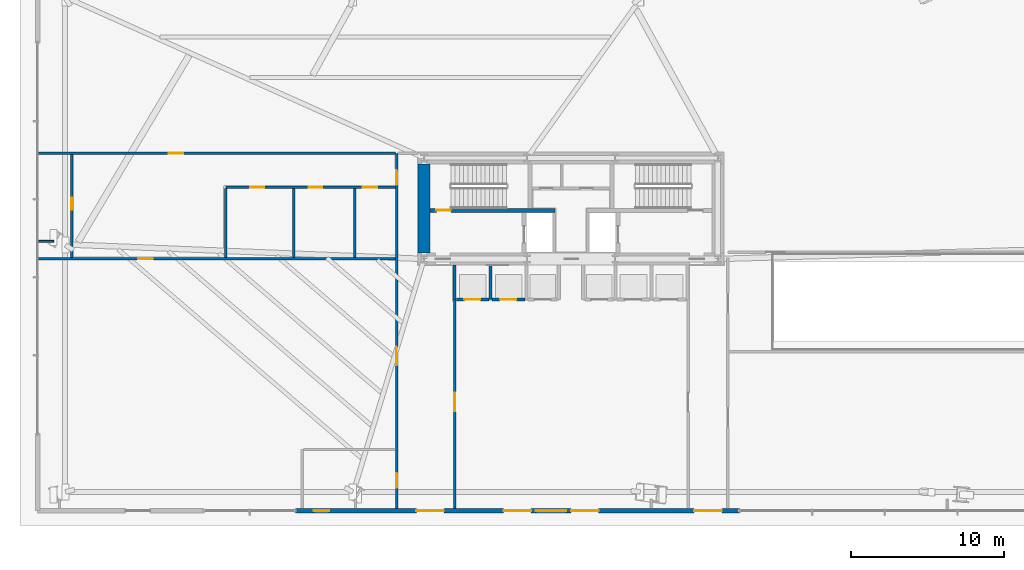
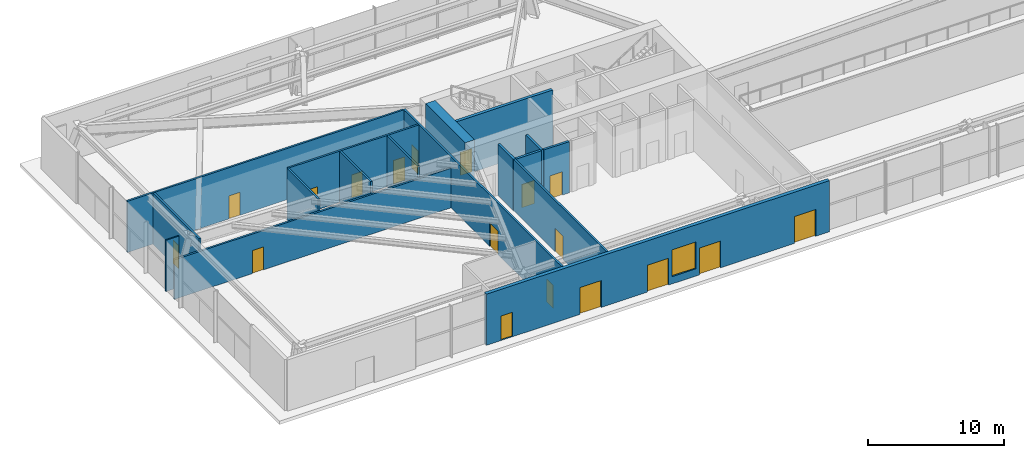
# One storey, part 24 of 31: 18 doors, 17 walls, 1 window, 19 openings.
"""IFC4 building model written with IfcOpenShell, lengths in metres."""

from ifc_helpers import new_model, si_unit, direction, frame, frame_2d, origin, place, context, subcontext, project, spatial, rectangle, extrude, source, transform, mapped, material, layer, layer_set, type_object, type_shapes, element, fill, save


model = new_model("IFC4")

# Units and contexts
model_context = context("Model", 3, precision=1e-05, world=origin(), true_north=direction((0.0, 1.0)))
body_context = subcontext(model_context, "Body", "Model", "MODEL_VIEW")
ifc_project = project(units=[si_unit("LENGTHUNIT", "METRE"), si_unit("AREAUNIT", "SQUARE_METRE"), si_unit("VOLUMEUNIT", "CUBIC_METRE"), si_unit("PLANEANGLEUNIT", "RADIAN"), si_unit("MASSUNIT", "GRAM", prefix="KILO")], contexts=[model_context])

# Site, building, storey
site_placement = place(None, origin())
site = spatial("IfcSite", under=ifc_project, at=site_placement, CompositionType="ELEMENT")
building_placement = place(site_placement, origin())
building = spatial("IfcBuilding", under=site, at=building_placement, Name="Astriad Promenade Condominiums", CompositionType="ELEMENT")
storey_placement = place(building_placement, origin())
storey = spatial("IfcBuildingStorey", under=building, at=storey_placement, Name="L00", CompositionType="ELEMENT", Elevation=0.0)

# Wall
ifc_material_1 = material(Name="Concrete C80/95", Category="concrete")
ifc_layer_1 = layer(ifc_material_1, 0.800048828125)
ifc_layer_set_1 = layer_set([ifc_layer_1], Name="Concrete C80/95")
wall_type_1 = type_object("IfcWallType", Name="CW-SHEAR-800", PredefinedType="SHEAR", material=ifc_layer_set_1)
wall_1_placement = place(storey_placement, frame((26.39990234375, 17.802001953125, 0.0), z_axis=(0.0, 0.0, 1.0), x_axis=(0.0, 1.0, 0.0)))
element("IfcWall", 1, at=wall_1_placement, inside=storey, type_object=wall_type_1, Name="CW-CORE-W-L00", PredefinedType="SHEAR", context=body_context, shape_type="SweptSolid", body=[
    extrude(rectangle(XDim=5.7958984375, YDim=0.800048828125, at=frame_2d((2.89794921875, 0.0))), origin(), (0.0, 0.0, 1.0), 5.0),
])

# Wall, opening, door
ifc_material_2 = material(Name="Concrete C50/60", Category="concrete")
ifc_layer_2 = layer(ifc_material_2, 0.25)
ifc_layer_set_2 = layer_set([ifc_layer_2], Name="Concrete C50/60")
wall_type_2 = type_object("IfcWallType", Name="WALL-CORE-INT-250", PredefinedType="SOLIDWALL", material=ifc_layer_set_2)
wall_2_placement = place(storey_placement, frame((26.802001953125, 20.574951171875, 0.0), z_axis=(0.0, 0.0, 1.0), x_axis=(1.0, 0.0, 0.0)))
wall_2 = element("IfcWall", 2, at=wall_2_placement, inside=storey, type_object=wall_type_2, Name="CW-INT-H1-L00", PredefinedType="SOLIDWALL", context=body_context, shape_type="SweptSolid", body=[
    extrude(rectangle(XDim=8.14794921875, YDim=0.25, at=frame_2d((4.073974609375, 0.0))), origin(), (0.0, 0.0, 1.0), 5.0),
])
opening_1_placement = place(wall_2_placement, frame((0.39794921875, 0.0, 0.0)))
opening_1 = element("IfcOpeningElement", 3, at=opening_1_placement, cuts=wall_2, Name="Opening FD90-ST-095", PredefinedType="OPENING", context=body_context, shape_type="SweptSolid", body=[
    extrude(rectangle(XDim=0.949951171875, YDim=2.06005859375, at=frame_2d((0.47509765625, 1.030029296875))), frame((0.0, 0.135009765625, 0.0), z_axis=(0.0, -1.0, 0.0), x_axis=(1.0, 0.0, 0.0)), (0.0, 0.0, 1.0), 0.27001953125),
])
ifc_material_3 = material(Name="Fire-Rated Hollow Metal Stair Door")
door_type_1 = type_object("IfcDoorType", Name="FD90-ST-095", OperationType="NOTDEFINED", PredefinedType="DOOR", material=ifc_material_3)
shared_shape_1 = source(origin(), body_context, "Body", "SweptSolid", [
    extrude(rectangle(XDim=0.949951171875, YDim=2.06005859375, at=frame_2d((0.47509765625, 1.030029296875))), frame((0.0, 0.02490234375, 0.0), z_axis=(0.0, -1.0, 0.0), x_axis=(1.0, 0.0, 0.0)), (0.0, 0.0, 1.0), 0.050048828125),
])
type_shapes(door_type_1, [shared_shape_1])
door_1_placement = place(opening_1_placement, origin())
door_1 = element("IfcDoor", 4, at=door_1_placement, inside=storey, type_object=door_type_1, Name="D-ST1-L00", OperationType="SINGLE_SWING_LEFT", OverallHeight=2.06005859375, OverallWidth=0.949951171875, PredefinedType="DOOR", context=body_context, shape_type="MappedRepresentation", body=[
    mapped(shared_shape_1, transform((0.0, 0.0, 0.0), scale=1.0)),
])
fill(opening_1, door_1)

# Wall, openings, doors
ifc_material_4 = material(Name="Fire-Rated Gypsum Partition")
ifc_layer_3 = layer(ifc_material_4, 0.159912109375)
ifc_layer_set_3 = layer_set([ifc_layer_3], Name="Fire-Rated Gypsum Partition")
wall_type_3 = type_object("IfcWallType", Name="WALL-CORR-160", PredefinedType="PARTITIONING", material=ifc_layer_set_3)
wall_3_placement = place(storey_placement, frame((24.60009765625, 1.10205078125, 0.0), z_axis=(0.0, 0.0, 1.0), x_axis=(0.0, 1.0, 0.0)))
wall_3 = element("IfcWall", 5, at=wall_3_placement, inside=storey, type_object=wall_type_3, Name="PT-L00-EXPW-W", PredefinedType="PARTITIONING", context=body_context, shape_type="SweptSolid", body=[
    extrude(rectangle(XDim=23.197998046875, YDim=0.159912109375, at=frame_2d((11.59912109375, 0.0))), origin(), (0.0, 0.0, 1.0), 4.580078125),
])
opening_2_placement = place(wall_3_placement, frame((1.347900390625, 0.0, 0.0)))
opening_2 = element("IfcOpeningElement", 6, at=opening_2_placement, cuts=wall_3, Name="Opening FD90-ST-095", PredefinedType="OPENING", context=body_context, shape_type="SweptSolid", body=[
    extrude(rectangle(XDim=0.949951171875, YDim=2.06005859375, at=frame_2d((0.47509765625, 1.030029296875))), frame((0.0, 0.08984375, 0.0), z_axis=(0.0, -1.0, 0.0), x_axis=(1.0, 0.0, 0.0)), (0.0, 0.0, 1.0), 0.179931640625),
])
opening_3_placement = place(wall_3_placement, frame((9.347900390625, 0.0, 0.0)))
opening_3 = element("IfcOpeningElement", 7, at=opening_3_placement, cuts=wall_3, Name="Opening FD60-RET-1222", PredefinedType="OPENING", context=body_context, shape_type="SweptSolid", body=[
    extrude(rectangle(XDim=1.199951171875, YDim=2.080078125, at=frame_2d((0.60009765625, 1.0400390625))), frame((0.0, 0.08984375, 0.0), z_axis=(0.0, -1.0, 0.0), x_axis=(1.0, 0.0, 0.0)), (0.0, 0.0, 1.0), 0.179931640625),
])
opening_4_placement = place(wall_3_placement, frame((21.137939453125, 0.0, 0.0)))
opening_4 = element("IfcOpeningElement", 8, at=opening_4_placement, cuts=wall_3, Name="Opening FD60-APT-095", PredefinedType="OPENING", context=body_context, shape_type="SweptSolid", body=[
    extrude(rectangle(XDim=0.949951171875, YDim=2.06005859375, at=frame_2d((0.47509765625, 1.030029296875))), frame((0.0, 0.08984375, 0.0), z_axis=(0.0, -1.0, 0.0), x_axis=(1.0, 0.0, 0.0)), (0.0, 0.0, 1.0), 0.179931640625),
])
door_2_placement = place(opening_2_placement, origin())
door_2 = element("IfcDoor", 9, at=door_2_placement, inside=storey, type_object=door_type_1, Name="D-L00-FCC", OperationType="SINGLE_SWING_LEFT", OverallHeight=2.06005859375, OverallWidth=0.949951171875, PredefinedType="DOOR", context=body_context, shape_type="MappedRepresentation", body=[
    mapped(shared_shape_1, transform((0.0, 0.0, 0.0), scale=1.0)),
])
fill(opening_2, door_2)
ifc_material_5 = material(Name="Glazed Aluminium Retail Entry Door", Category="aluminium")
door_type_2 = type_object("IfcDoorType", Name="FD60-RET-1222", OperationType="NOTDEFINED", PredefinedType="DOOR", material=ifc_material_5)
shared_shape_2 = source(origin(), body_context, "Body", "SweptSolid", [
    extrude(rectangle(XDim=1.199951171875, YDim=2.080078125, at=frame_2d((0.60009765625, 1.0400390625))), frame((0.0, 0.02490234375, 0.0), z_axis=(0.0, -1.0, 0.0), x_axis=(1.0, 0.0, 0.0)), (0.0, 0.0, 1.0), 0.050048828125),
])
type_shapes(door_type_2, [shared_shape_2])
door_3_placement = place(opening_3_placement, origin())
door_3 = element("IfcDoor", 10, at=door_3_placement, inside=storey, type_object=door_type_2, Name="D-L00-RETW", OperationType="SINGLE_SWING_RIGHT", OverallHeight=2.080078125, OverallWidth=1.199951171875, PredefinedType="DOOR", context=body_context, shape_type="MappedRepresentation", body=[
    mapped(shared_shape_2, transform((0.0, 0.0, 0.0), scale=1.0)),
])
fill(opening_3, door_3)
ifc_material_6 = material(Name="Solid-Core Acoustic Timber Residence Entry Door", Category="wood")
door_type_3 = type_object("IfcDoorType", Name="FD60-APT-095", OperationType="NOTDEFINED", PredefinedType="DOOR", material=ifc_material_6)
shared_shape_3 = source(origin(), body_context, "Body", "SweptSolid", [
    extrude(rectangle(XDim=0.949951171875, YDim=2.06005859375, at=frame_2d((0.47509765625, 1.030029296875))), frame((0.0, 0.02490234375, 0.0), z_axis=(0.0, -1.0, 0.0), x_axis=(1.0, 0.0, 0.0)), (0.0, 0.0, 1.0), 0.050048828125),
])
type_shapes(door_type_3, [shared_shape_3])
door_4_placement = place(opening_4_placement, origin())
door_4 = element("IfcDoor", 11, at=door_4_placement, inside=storey, type_object=door_type_3, Name="D-L00-CRW", OperationType="SINGLE_SWING_RIGHT", OverallHeight=2.06005859375, OverallWidth=0.949951171875, PredefinedType="DOOR", context=body_context, shape_type="MappedRepresentation", body=[
    mapped(shared_shape_3, transform((0.0, 0.0, 0.0), scale=1.0)),
])
fill(opening_4, door_4)

# Wall, opening, door
wall_4_placement = place(storey_placement, frame((28.39990234375, 1.10205078125, 0.0), z_axis=(0.0, 0.0, 1.0), x_axis=(0.0, 1.0, 0.0)))
wall_4 = element("IfcWall", 12, at=wall_4_placement, inside=storey, type_object=wall_type_3, Name="PT-L00-EXPW-E", PredefinedType="PARTITIONING", context=body_context, shape_type="SweptSolid", body=[
    extrude(rectangle(XDim=13.64794921875, YDim=0.159912109375, at=frame_2d((6.823974609375, 0.0))), origin(), (0.0, 0.0, 1.0), 4.580078125),
])
opening_5_placement = place(wall_4_placement, frame((6.347900390625, 0.0, 0.0)))
opening_5 = element("IfcOpeningElement", 13, at=opening_5_placement, cuts=wall_4, Name="Opening FD90-PLT-1222", PredefinedType="OPENING", context=body_context, shape_type="SweptSolid", body=[
    extrude(rectangle(XDim=1.199951171875, YDim=2.080078125, at=frame_2d((0.60009765625, 1.0400390625))), frame((0.0, 0.08984375, 0.0), z_axis=(0.0, -1.0, 0.0), x_axis=(1.0, 0.0, 0.0)), (0.0, 0.0, 1.0), 0.179931640625),
])
ifc_material_7 = material(Name="Fire-Rated Double-Insulated Plant Door")
door_type_4 = type_object("IfcDoorType", Name="FD90-PLT-1222", OperationType="NOTDEFINED", PredefinedType="DOOR", material=ifc_material_7)
shared_shape_4 = source(origin(), body_context, "Body", "SweptSolid", [
    extrude(rectangle(XDim=1.199951171875, YDim=2.080078125, at=frame_2d((0.60009765625, 1.0400390625))), frame((0.0, 0.02490234375, 0.0), z_axis=(0.0, -1.0, 0.0), x_axis=(1.0, 0.0, 0.0)), (0.0, 0.0, 1.0), 0.050048828125),
])
type_shapes(door_type_4, [shared_shape_4])
door_5_placement = place(opening_5_placement, origin())
door_5 = element("IfcDoor", 14, at=door_5_placement, inside=storey, type_object=door_type_4, Name="D-L00-LOBW", OperationType="SINGLE_SWING_LEFT", OverallHeight=2.080078125, OverallWidth=1.199951171875, PredefinedType="DOOR", context=body_context, shape_type="MappedRepresentation", body=[
    mapped(shared_shape_4, transform((0.0, 0.0, 0.0), scale=1.0)),
])
fill(opening_5, door_5)

wall_5_placement = place(storey_placement, frame((1.14990234375, 17.39990234375, 0.0), z_axis=(0.0, 0.0, 1.0), x_axis=(1.0, 0.0, 0.0)))
wall_5 = element("IfcWall", 15, at=wall_5_placement, inside=storey, type_object=wall_type_3, Name="PT-L00-WCS", PredefinedType="PARTITIONING", context=body_context, shape_type="SweptSolid", body=[
    extrude(rectangle(XDim=23.3681640625, YDim=0.159912109375, at=frame_2d((11.68408203125, 0.0))), origin(), (0.0, 0.0, 1.0), 3.536376953125),
])
opening_6_placement = place(wall_5_placement, frame((6.574951171875, 0.0, 0.0)))
opening_6 = element("IfcOpeningElement", 16, at=opening_6_placement, cuts=wall_5, Name="Opening FD60-APT-095", PredefinedType="OPENING", context=body_context, shape_type="SweptSolid", body=[
    extrude(rectangle(XDim=0.949951171875, YDim=2.06005859375, at=frame_2d((0.47509765625, 1.030029296875))), frame((0.0, 0.08984375, 0.0), z_axis=(0.0, -1.0, 0.0), x_axis=(1.0, 0.0, 0.0)), (0.0, 0.0, 1.0), 0.179931640625),
])
door_6_placement = place(opening_6_placement, origin())
door_6 = element("IfcDoor", 17, at=door_6_placement, inside=storey, type_object=door_type_3, Name="D-L00-CORN", OperationType="SINGLE_SWING_LEFT", OverallHeight=2.06005859375, OverallWidth=0.949951171875, PredefinedType="DOOR", context=body_context, shape_type="MappedRepresentation", body=[
    mapped(shared_shape_3, transform((0.0, 0.0, 0.0), scale=1.0)),
])
fill(opening_6, door_6)

# Wall, openings, doors
wall_6_placement = place(storey_placement, frame((13.449951171875, 22.080078125, 0.0), z_axis=(0.0, 0.0, 1.0), x_axis=(1.0, 0.0, 0.0)))
wall_6 = element("IfcWall", 18, at=wall_6_placement, inside=storey, type_object=wall_type_3, Name="PT-L00-WCN", PredefinedType="PARTITIONING", context=body_context, shape_type="SweptSolid", body=[
    extrude(rectangle(XDim=11.068115234375, YDim=0.159912109375, at=frame_2d((5.5341796875, 0.0))), origin(), (0.0, 0.0, 1.0), 4.580078125),
])
opening_7_placement = place(wall_6_placement, frame((1.60009765625, 0.0, 0.0)))
opening_7 = element("IfcOpeningElement", 19, at=opening_7_placement, cuts=wall_6, Name="Opening D-INT-090", PredefinedType="OPENING", context=body_context, shape_type="SweptSolid", body=[
    extrude(rectangle(XDim=0.89990234375, YDim=2.050048828125, at=frame_2d((0.449951171875, 1.02490234375))), frame((0.0, 0.08984375, 0.0), z_axis=(0.0, -1.0, 0.0), x_axis=(1.0, 0.0, 0.0)), (0.0, 0.0, 1.0), 0.179931640625),
])
opening_8_placement = place(wall_6_placement, frame((5.39990234375, 0.0, 0.0)))
opening_8 = element("IfcOpeningElement", 20, at=opening_8_placement, cuts=wall_6, Name="Opening D-INT-090", PredefinedType="OPENING", context=body_context, shape_type="SweptSolid", body=[
    extrude(rectangle(XDim=0.89990234375, YDim=2.050048828125, at=frame_2d((0.449951171875, 1.02490234375))), frame((0.0, 0.08984375, 0.0), z_axis=(0.0, -1.0, 0.0), x_axis=(1.0, 0.0, 0.0)), (0.0, 0.0, 1.0), 0.179931640625),
])
opening_9_placement = place(wall_6_placement, frame((8.949951171875, 0.0, 0.0)))
opening_9 = element("IfcOpeningElement", 21, at=opening_9_placement, cuts=wall_6, Name="Opening D-WET-095", PredefinedType="OPENING", context=body_context, shape_type="SweptSolid", body=[
    extrude(rectangle(XDim=0.949951171875, YDim=2.10009765625, at=frame_2d((0.47509765625, 1.050048828125))), frame((0.0, 0.08984375, 0.0), z_axis=(0.0, -1.0, 0.0), x_axis=(1.0, 0.0, 0.0)), (0.0, 0.0, 1.0), 0.179931640625),
])
ifc_material_8 = material(Name="Accessible Restroom Timber Door", Category="wood")
door_type_5 = type_object("IfcDoorType", Name="D-WET-095", OperationType="NOTDEFINED", PredefinedType="DOOR", material=ifc_material_8)
shared_shape_5 = source(origin(), body_context, "Body", "SweptSolid", [
    extrude(rectangle(XDim=0.949951171875, YDim=2.10009765625, at=frame_2d((0.47509765625, 1.050048828125))), frame((0.0, 0.02490234375, 0.0), z_axis=(0.0, -1.0, 0.0), x_axis=(1.0, 0.0, 0.0)), (0.0, 0.0, 1.0), 0.050048828125),
])
type_shapes(door_type_5, [shared_shape_5])
door_7_placement = place(opening_9_placement, origin())
door_7 = element("IfcDoor", 22, at=door_7_placement, inside=storey, type_object=door_type_5, Name="D-L00-WCA", OperationType="SINGLE_SWING_RIGHT", OverallHeight=2.10009765625, OverallWidth=0.949951171875, PredefinedType="DOOR", context=body_context, shape_type="MappedRepresentation", body=[
    mapped(shared_shape_5, transform((0.0, 0.0, 0.0), scale=1.0)),
])
fill(opening_9, door_7)
ifc_material_9 = material(Name="Painted Solid-Core Timber Bedroom Door", Category="wood")
door_type_6 = type_object("IfcDoorType", Name="D-INT-090", OperationType="NOTDEFINED", PredefinedType="DOOR", material=ifc_material_9)
shared_shape_6 = source(origin(), body_context, "Body", "SweptSolid", [
    extrude(rectangle(XDim=0.89990234375, YDim=2.050048828125, at=frame_2d((0.449951171875, 1.02490234375))), frame((0.0, 0.02490234375, 0.0), z_axis=(0.0, -1.0, 0.0), x_axis=(1.0, 0.0, 0.0)), (0.0, 0.0, 1.0), 0.050048828125),
])
type_shapes(door_type_6, [shared_shape_6])
door_8_placement = place(opening_7_placement, origin())
door_8 = element("IfcDoor", 23, at=door_8_placement, inside=storey, type_object=door_type_6, Name="D-L00-WCM", OperationType="SINGLE_SWING_RIGHT", OverallHeight=2.050048828125, OverallWidth=0.89990234375, PredefinedType="DOOR", context=body_context, shape_type="MappedRepresentation", body=[
    mapped(shared_shape_6, transform((0.0, 0.0, 0.0), scale=1.0)),
])
fill(opening_7, door_8)
door_9_placement = place(opening_8_placement, origin())
door_9 = element("IfcDoor", 24, at=door_9_placement, inside=storey, type_object=door_type_6, Name="D-L00-WCF", OperationType="SINGLE_SWING_LEFT", OverallHeight=2.050048828125, OverallWidth=0.89990234375, PredefinedType="DOOR", context=body_context, shape_type="MappedRepresentation", body=[
    mapped(shared_shape_6, transform((0.0, 0.0, 0.0), scale=1.0)),
])
fill(opening_8, door_9)

# Wall, opening, door
wall_7_placement = place(storey_placement, frame((1.14990234375, 24.300048828125, 0.0), z_axis=(0.0, 0.0, 1.0), x_axis=(1.0, 0.0, 0.0)))
wall_7 = element("IfcWall", 25, at=wall_7_placement, inside=storey, type_object=wall_type_3, Name="PT-L00-CN", PredefinedType="PARTITIONING", context=body_context, shape_type="SweptSolid", body=[
    extrude(rectangle(XDim=23.3681640625, YDim=0.159912109375, at=frame_2d((11.68408203125, 0.0))), origin(), (0.0, 0.0, 1.0), 4.580078125),
])
opening_10_placement = place(wall_7_placement, frame((8.574951171875, 0.0, 0.0)))
opening_10 = element("IfcOpeningElement", 26, at=opening_10_placement, cuts=wall_7, Name="Opening FD60-APT-095", PredefinedType="OPENING", context=body_context, shape_type="SweptSolid", body=[
    extrude(rectangle(XDim=0.949951171875, YDim=2.06005859375, at=frame_2d((0.47509765625, 1.030029296875))), frame((0.0, 0.08984375, 0.0), z_axis=(0.0, -1.0, 0.0), x_axis=(1.0, 0.0, 0.0)), (0.0, 0.0, 1.0), 0.179931640625),
])
door_10_placement = place(opening_10_placement, origin())
door_10 = element("IfcDoor", 27, at=door_10_placement, inside=storey, type_object=door_type_3, Name="D-L00-MAIL", OperationType="SINGLE_SWING_LEFT", OverallHeight=2.06005859375, OverallWidth=0.949951171875, PredefinedType="DOOR", context=body_context, shape_type="MappedRepresentation", body=[
    mapped(shared_shape_3, transform((0.0, 0.0, 0.0), scale=1.0)),
])
fill(opening_10, door_10)

wall_8_placement = place(storey_placement, frame((3.3798828125, 17.48193359375, 0.0), z_axis=(0.0, 0.0, 1.0), x_axis=(0.0, 1.0, 0.0)))
wall_8 = element("IfcWall", 28, at=wall_8_placement, inside=storey, type_object=wall_type_3, Name="PT-L00-CORW", PredefinedType="PARTITIONING", context=body_context, shape_type="SweptSolid", body=[
    extrude(rectangle(XDim=6.736083984375, YDim=0.159912109375, at=frame_2d((3.3681640625, 0.0))), origin(), (0.0, 0.0, 1.0), 4.580078125),
])
opening_11_placement = place(wall_8_placement, frame((3.117919921875, 0.0, 0.0)))
opening_11 = element("IfcOpeningElement", 29, at=opening_11_placement, cuts=wall_8, Name="Opening FD60-SV-080", PredefinedType="OPENING", context=body_context, shape_type="SweptSolid", body=[
    extrude(rectangle(XDim=0.800048828125, YDim=2.050048828125, at=frame_2d((0.39990234375, 1.02490234375))), frame((0.0, 0.08984375, 0.0), z_axis=(0.0, -1.0, 0.0), x_axis=(1.0, 0.0, 0.0)), (0.0, 0.0, 1.0), 0.179931640625),
])
ifc_material_10 = material(Name="Fire-Rated Riser Closet Door")
door_type_7 = type_object("IfcDoorType", Name="FD60-SV-080", OperationType="NOTDEFINED", PredefinedType="DOOR", material=ifc_material_10)
shared_shape_7 = source(origin(), body_context, "Body", "SweptSolid", [
    extrude(rectangle(XDim=0.800048828125, YDim=2.050048828125, at=frame_2d((0.39990234375, 1.02490234375))), frame((0.0, 0.02490234375, 0.0), z_axis=(0.0, -1.0, 0.0), x_axis=(1.0, 0.0, 0.0)), (0.0, 0.0, 1.0), 0.050048828125),
])
type_shapes(door_type_7, [shared_shape_7])
door_11_placement = place(opening_11_placement, origin())
door_11 = element("IfcDoor", 30, at=door_11_placement, inside=storey, type_object=door_type_7, Name="D-L00-WSTR", OperationType="SINGLE_SWING_RIGHT", OverallHeight=2.050048828125, OverallWidth=0.800048828125, PredefinedType="DOOR", context=body_context, shape_type="MappedRepresentation", body=[
    mapped(shared_shape_7, transform((0.0, 0.0, 0.0), scale=1.0)),
])
fill(opening_11, door_11)

# Walls
for number, where, z_axis, x_axis, name in (
    (31, (13.449951171875, 17.48193359375, 0.0), (0.0, 0.0, 1.0), (0.0, 1.0, 0.0), "PT-L00-WCV1"),
    (32, (17.8798828125, 17.48193359375, 0.0), (0.0, 0.0, 1.0), (0.0, 1.0, 0.0), "PT-L00-WCV2"),
    (33, (21.8798828125, 17.48193359375, 0.0), (0.0, 0.0, 1.0), (0.0, 1.0, 0.0), "PT-L00-WCV3"),
):
    element("IfcWall", number, at=place(storey_placement, frame(where, z_axis=z_axis, x_axis=x_axis)), inside=storey, type_object=wall_type_3, Name=name, PredefinedType="PARTITIONING", context=body_context, shape_type="SweptSolid", body=[
        extrude(rectangle(XDim=4.51611328125, YDim=0.159912109375, at=frame_2d((2.258056640625, 0.0))), origin(), (0.0, 0.0, 1.0), 4.580078125),
    ])

# Wall, openings, window, doors
ifc_material_11 = material(Name="Precast concrete C50/60", Category="concrete")
ifc_layer_4 = layer(ifc_material_11, 0.300048828125)
ifc_layer_set_4 = layer_set([ifc_layer_4], Name="Precast concrete C50/60")
wall_type_4 = type_object("IfcWallType", Name="WALL-EXT-POD-300", PredefinedType="STANDARD", material=ifc_layer_set_4)
wall_9_placement = place(storey_placement, frame((47.0, 0.949951171875, 0.0), z_axis=(0.0, 0.0, 1.0), x_axis=(-1.0, 0.0, 0.0)))
wall_9 = element("IfcWall", 34, at=wall_9_placement, inside=storey, type_object=wall_type_4, Name="W-EXT-L00-S3", PredefinedType="STANDARD", context=body_context, shape_type="SweptSolid", body=[
    extrude(rectangle(XDim=29.0, YDim=0.300048828125, at=frame_2d((14.5, 0.0))), origin(), (0.0, 0.0, 1.0), 4.580078125),
])
opening_12_placement = place(wall_9_placement, frame((1.14990234375, 0.0, 0.0)))
opening_12 = element("IfcOpeningElement", 35, at=opening_12_placement, cuts=wall_9, Name="Opening ED-1824-EXIT", PredefinedType="OPENING", context=body_context, shape_type="SweptSolid", body=[
    extrude(rectangle(XDim=1.800048828125, YDim=2.39990234375, at=frame_2d((0.89990234375, 1.199951171875))), frame((0.0, 0.159912109375, 0.0), z_axis=(0.0, -1.0, 0.0), x_axis=(1.0, 0.0, 0.0)), (0.0, 0.0, 1.0), 0.320068359375),
])
opening_13_placement = place(wall_9_placement, frame((9.199951171875, 0.0, 0.0)))
opening_13 = element("IfcOpeningElement", 36, at=opening_13_placement, cuts=wall_9, Name="Opening ED-1824-EXIT", PredefinedType="OPENING", context=body_context, shape_type="SweptSolid", body=[
    extrude(rectangle(XDim=1.800048828125, YDim=2.39990234375, at=frame_2d((0.89990234375, 1.199951171875))), frame((0.0, 0.159912109375, 0.0), z_axis=(0.0, -1.0, 0.0), x_axis=(1.0, 0.0, 0.0)), (0.0, 0.0, 1.0), 0.320068359375),
])
opening_14_placement = place(wall_9_placement, frame((11.300048828125, 0.0, 0.64990234375)))
opening_14 = element("IfcOpeningElement", 37, at=opening_14_placement, cuts=wall_9, Name="Opening WIN-POD-2024", PredefinedType="OPENING", context=body_context, shape_type="SweptSolid", body=[
    extrude(rectangle(XDim=2.0, YDim=2.39990234375, at=frame_2d((1.0, 1.199951171875))), frame((0.0, 0.159912109375, 0.0), z_axis=(0.0, -1.0, 0.0), x_axis=(1.0, 0.0, 0.0)), (0.0, 0.0, 1.0), 0.320068359375),
])
opening_15_placement = place(wall_9_placement, frame((13.60009765625, 0.0, 0.0)))
opening_15 = element("IfcOpeningElement", 38, at=opening_15_placement, cuts=wall_9, Name="Opening ED-1824-EXIT", PredefinedType="OPENING", context=body_context, shape_type="SweptSolid", body=[
    extrude(rectangle(XDim=1.800048828125, YDim=2.39990234375, at=frame_2d((0.89990234375, 1.199951171875))), frame((0.0, 0.159912109375, 0.0), z_axis=(0.0, -1.0, 0.0), x_axis=(1.0, 0.0, 0.0)), (0.0, 0.0, 1.0), 0.320068359375),
])
opening_16_placement = place(wall_9_placement, frame((19.300048828125, 0.0, 0.0)))
opening_16 = element("IfcOpeningElement", 39, at=opening_16_placement, cuts=wall_9, Name="Opening ED-1824-EXIT", PredefinedType="OPENING", context=body_context, shape_type="SweptSolid", body=[
    extrude(rectangle(XDim=1.800048828125, YDim=2.39990234375, at=frame_2d((0.89990234375, 1.199951171875))), frame((0.0, 0.159912109375, 0.0), z_axis=(0.0, -1.0, 0.0), x_axis=(1.0, 0.0, 0.0)), (0.0, 0.0, 1.0), 0.320068359375),
])
opening_17_placement = place(wall_9_placement, frame((26.800048828125, 0.0, 0.0)))
opening_17 = element("IfcOpeningElement", 40, at=opening_17_placement, cuts=wall_9, Name="Opening ED-1022-FCC", PredefinedType="OPENING", context=body_context, shape_type="SweptSolid", body=[
    extrude(rectangle(XDim=1.0, YDim=2.199951171875, at=frame_2d((0.5, 1.10009765625))), frame((0.0, 0.159912109375, 0.0), z_axis=(0.0, -1.0, 0.0), x_axis=(1.0, 0.0, 0.0)), (0.0, 0.0, 1.0), 0.320068359375),
])
ifc_material_12 = material(Name="Dark Tinted Storefront Window")
window_type = type_object("IfcWindowType", Name="WIN-POD-2024", PartitioningType="SINGLE_PANEL", PredefinedType="WINDOW", material=ifc_material_12)
shared_shape_8 = source(origin(), body_context, "Body", "SweptSolid", [
    extrude(rectangle(XDim=2.0, YDim=2.39990234375, at=frame_2d((1.0, 1.199951171875))), frame((0.0, 0.030029296875, 0.0), z_axis=(0.0, -1.0, 0.0), x_axis=(1.0, 0.0, 0.0)), (0.0, 0.0, 1.0), 0.06005859375),
])
type_shapes(window_type, [shared_shape_8])
window_placement = place(opening_14_placement, origin())
window = element("IfcWindow", 41, at=window_placement, inside=storey, type_object=window_type, Name="WIN-L00-LOB", OverallHeight=2.39990234375, OverallWidth=2.0, PartitioningType="SINGLE_PANEL", PredefinedType="WINDOW", context=body_context, shape_type="MappedRepresentation", body=[
    mapped(shared_shape_8, transform((0.0, 0.0, 0.0), scale=1.0)),
])
fill(opening_14, window)
ifc_material_13 = material(Name="Stainless Steel Glazed Exit Door", Category="steel")
door_type_8 = type_object("IfcDoorType", Name="ED-1824-EXIT", OperationType="NOTDEFINED", PredefinedType="DOOR", material=ifc_material_13)
shared_shape_9 = source(origin(), body_context, "Body", "SweptSolid", [
    extrude(rectangle(XDim=1.800048828125, YDim=2.39990234375, at=frame_2d((0.89990234375, 1.199951171875))), frame((0.0, 0.02490234375, 0.0), z_axis=(0.0, -1.0, 0.0), x_axis=(1.0, 0.0, 0.0)), (0.0, 0.0, 1.0), 0.050048828125),
])
type_shapes(door_type_8, [shared_shape_9])
door_12_placement = place(opening_12_placement, origin())
door_12 = element("IfcDoor", 42, at=door_12_placement, inside=storey, type_object=door_type_8, Name="ED-04", OperationType="DOUBLE_DOOR_SINGLE_SWING", OverallHeight=2.39990234375, OverallWidth=1.800048828125, PredefinedType="DOOR", context=body_context, shape_type="MappedRepresentation", body=[
    mapped(shared_shape_9, transform((0.0, 0.0, 0.0), scale=1.0)),
])
fill(opening_12, door_12)
door_13_placement = place(opening_13_placement, origin())
door_13 = element("IfcDoor", 43, at=door_13_placement, inside=storey, type_object=door_type_8, Name="ED-03", OperationType="DOUBLE_DOOR_SINGLE_SWING", OverallHeight=2.39990234375, OverallWidth=1.800048828125, PredefinedType="DOOR", context=body_context, shape_type="MappedRepresentation", body=[
    mapped(shared_shape_9, transform((0.0, 0.0, 0.0), scale=1.0)),
])
fill(opening_13, door_13)
door_14_placement = place(opening_15_placement, origin())
door_14 = element("IfcDoor", 44, at=door_14_placement, inside=storey, type_object=door_type_8, Name="ED-02", OperationType="DOUBLE_DOOR_SINGLE_SWING", OverallHeight=2.39990234375, OverallWidth=1.800048828125, PredefinedType="DOOR", context=body_context, shape_type="MappedRepresentation", body=[
    mapped(shared_shape_9, transform((0.0, 0.0, 0.0), scale=1.0)),
])
fill(opening_15, door_14)
door_15_placement = place(opening_16_placement, origin())
door_15 = element("IfcDoor", 45, at=door_15_placement, inside=storey, type_object=door_type_8, Name="ED-01", OperationType="DOUBLE_DOOR_SINGLE_SWING", OverallHeight=2.39990234375, OverallWidth=1.800048828125, PredefinedType="DOOR", context=body_context, shape_type="MappedRepresentation", body=[
    mapped(shared_shape_9, transform((0.0, 0.0, 0.0), scale=1.0)),
])
fill(opening_16, door_15)
ifc_material_14 = material(Name="Hollow Metal Fire Exit Door")
door_type_9 = type_object("IfcDoorType", Name="ED-1022-FCC", OperationType="NOTDEFINED", PredefinedType="DOOR", material=ifc_material_14)
shared_shape_10 = source(origin(), body_context, "Body", "SweptSolid", [
    extrude(rectangle(XDim=1.0, YDim=2.199951171875, at=frame_2d((0.5, 1.10009765625))), frame((0.0, 0.02490234375, 0.0), z_axis=(0.0, -1.0, 0.0), x_axis=(1.0, 0.0, 0.0)), (0.0, 0.0, 1.0), 0.050048828125),
])
type_shapes(door_type_9, [shared_shape_10])
door_16_placement = place(opening_17_placement, origin())
door_16 = element("IfcDoor", 46, at=door_16_placement, inside=storey, type_object=door_type_9, Name="D-FCC-EXT", OperationType="SINGLE_SWING_LEFT", OverallHeight=2.199951171875, OverallWidth=1.0, PredefinedType="DOOR", context=body_context, shape_type="MappedRepresentation", body=[
    mapped(shared_shape_10, transform((0.0, 0.0, 0.0), scale=1.0)),
])
fill(opening_17, door_16)

# Walls
ifc_material_15 = material(Name="Acoustic Metal-Stud Gypsum Partition")
ifc_layer_5 = layer(ifc_material_15, 0.1201171875)
ifc_layer_set_5 = layer_set([ifc_layer_5], Name="Acoustic Metal-Stud Gypsum Partition")
wall_type_5 = type_object("IfcWallType", Name="WALL-PART-120", PredefinedType="PARTITIONING", material=ifc_layer_set_5)
wall_10_placement = place(storey_placement, frame((2.199951171875, 18.550048828125, 0.0), z_axis=(0.0, 0.0, 1.0), x_axis=(-1.0, 0.0, 0.0)))
element("IfcWall", 47, at=wall_10_placement, inside=storey, type_object=wall_type_5, Name="PT-PIL-L00-PC11-18", PredefinedType="PARTITIONING", context=body_context, shape_type="SweptSolid", body=[
    extrude(rectangle(XDim=1.119873046875, YDim=0.1201171875, at=frame_2d((0.56005859375, 0.0))), origin(), (0.0, 0.0, 1.0), 4.580078125),
])
ifc_material_16 = material(Name="Gypsum Shaftliner Assembly")
ifc_layer_6 = layer(ifc_material_16, 0.199951171875)
ifc_layer_set_6 = layer_set([ifc_layer_6], Name="Gypsum Shaftliner Assembly")
wall_type_6 = type_object("IfcWallType", Name="WALL-SHAFT-200", PredefinedType="PARTITIONING", material=ifc_layer_set_6)
for number, where, z_axis, x_axis, name in (
    (48, (28.39990234375, 14.75, 0.0), (0.0, 0.0, 1.0), (0.0, 1.0, 0.0), "PL-W-OUT-L00"),
    (49, (30.75, 14.75, 0.0), (0.0, 0.0, 1.0), (0.0, 1.0, 0.0), "PL-L-DIV-L00"),
):
    element("IfcWall", number, at=place(storey_placement, frame(where, z_axis=z_axis, x_axis=x_axis)), inside=storey, type_object=wall_type_6, Name=name, PredefinedType="PARTITIONING", context=body_context, shape_type="SweptSolid", body=[
        extrude(rectangle(XDim=2.248046875, YDim=0.199951171875, at=frame_2d((1.1240234375, 0.0))), origin(), (0.0, 0.0, 1.0), 4.580078125),
    ])

# Wall, opening, door
wall_11_placement = place(storey_placement, frame((28.501953125, 14.75, 0.0), z_axis=(0.0, 0.0, 1.0), x_axis=(1.0, 0.0, 0.0)))
wall_11 = element("IfcWall", 50, at=wall_11_placement, inside=storey, type_object=wall_type_6, Name="PL-L-FRT-L00", PredefinedType="PARTITIONING", context=body_context, shape_type="SweptSolid", body=[
    extrude(rectangle(XDim=2.14599609375, YDim=0.199951171875, at=frame_2d((1.072998046875, 0.0))), origin(), (0.0, 0.0, 1.0), 4.580078125),
])
opening_18_placement = place(wall_11_placement, frame((0.52294921875, 0.0, 0.0)))
opening_18 = element("IfcOpeningElement", 51, at=opening_18_placement, cuts=wall_11, Name="Opening LD-PL-10522", PredefinedType="OPENING", context=body_context, shape_type="SweptSolid", body=[
    extrude(rectangle(XDim=1.050048828125, YDim=2.080078125, at=frame_2d((0.52490234375, 1.0400390625))), frame((0.0, 0.10986328125, 0.0), z_axis=(0.0, -1.0, 0.0), x_axis=(1.0, 0.0, 0.0)), (0.0, 0.0, 1.0), 0.219970703125),
])
ifc_material_17 = material(Name="Brushed Bronze Passenger Elevator Landing Door")
door_type_10 = type_object("IfcDoorType", Name="LD-PL-10522", OperationType="NOTDEFINED", PredefinedType="DOOR", material=ifc_material_17)
shared_shape_11 = source(origin(), body_context, "Body", "SweptSolid", [
    extrude(rectangle(XDim=1.050048828125, YDim=2.080078125, at=frame_2d((0.52490234375, 1.0400390625))), frame((0.0, 0.02490234375, 0.0), z_axis=(0.0, -1.0, 0.0), x_axis=(1.0, 0.0, 0.0)), (0.0, 0.0, 1.0), 0.050048828125),
])
type_shapes(door_type_10, [shared_shape_11])
door_17_placement = place(opening_18_placement, origin())
door_17 = element("IfcDoor", 52, at=door_17_placement, inside=storey, type_object=door_type_10, Name="Elevator Landing Door PL-L1 (L00)", OperationType="SLIDING_TO_LEFT", OverallHeight=2.080078125, OverallWidth=1.050048828125, PredefinedType="DOOR", context=body_context, shape_type="MappedRepresentation", body=[
    mapped(shared_shape_11, transform((0.0, 0.0, 0.0), scale=1.0)),
])
fill(opening_18, door_17)

wall_12_placement = place(storey_placement, frame((30.85205078125, 14.75, 0.0), z_axis=(0.0, 0.0, 1.0), x_axis=(1.0, 0.0, 0.0)))
wall_12 = element("IfcWall", 53, at=wall_12_placement, inside=storey, type_object=wall_type_6, Name="PL-L-FRT-L00-S2", PredefinedType="PARTITIONING", context=body_context, shape_type="SweptSolid", body=[
    extrude(rectangle(XDim=2.14599609375, YDim=0.199951171875, at=frame_2d((1.072998046875, 0.0))), origin(), (0.0, 0.0, 1.0), 4.580078125),
])
opening_19_placement = place(wall_12_placement, frame((0.52294921875, 0.0, 0.0)))
opening_19 = element("IfcOpeningElement", 54, at=opening_19_placement, cuts=wall_12, Name="Opening LD-PL-10522", PredefinedType="OPENING", context=body_context, shape_type="SweptSolid", body=[
    extrude(rectangle(XDim=1.050048828125, YDim=2.080078125, at=frame_2d((0.52490234375, 1.0400390625))), frame((0.0, 0.10986328125, 0.0), z_axis=(0.0, -1.0, 0.0), x_axis=(1.0, 0.0, 0.0)), (0.0, 0.0, 1.0), 0.219970703125),
])
door_18_placement = place(opening_19_placement, origin())
door_18 = element("IfcDoor", 55, at=door_18_placement, inside=storey, type_object=door_type_10, Name="Elevator Landing Door PL-L2 (L00)", OperationType="SLIDING_TO_RIGHT", OverallHeight=2.080078125, OverallWidth=1.050048828125, PredefinedType="DOOR", context=body_context, shape_type="MappedRepresentation", body=[
    mapped(shared_shape_11, transform((0.0, 0.0, 0.0), scale=1.0)),
])
fill(opening_19, door_18)

save(model, "model.ifc")
